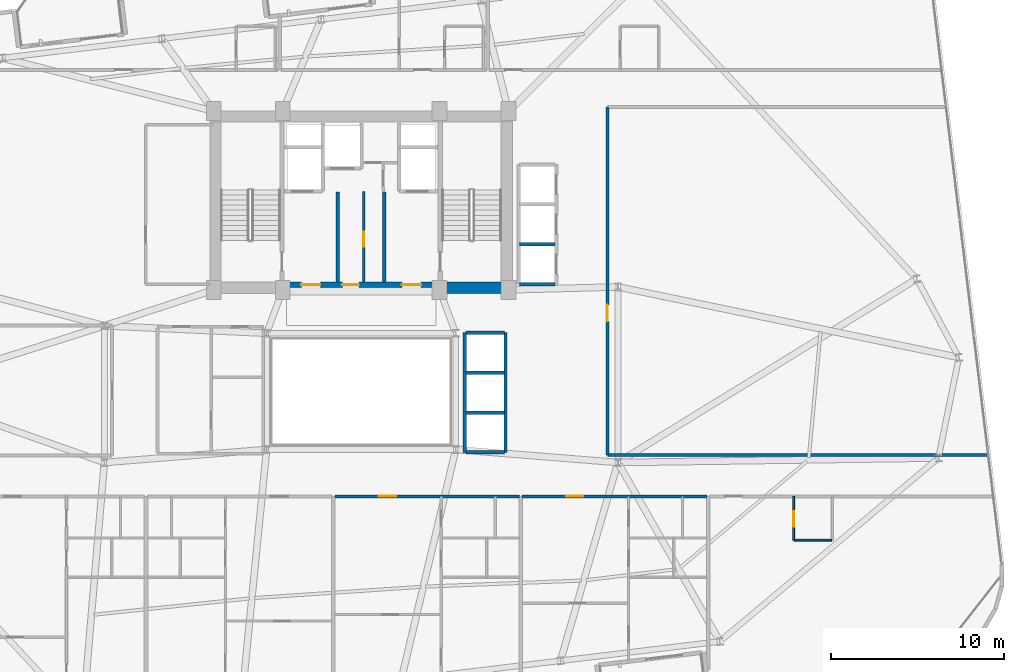
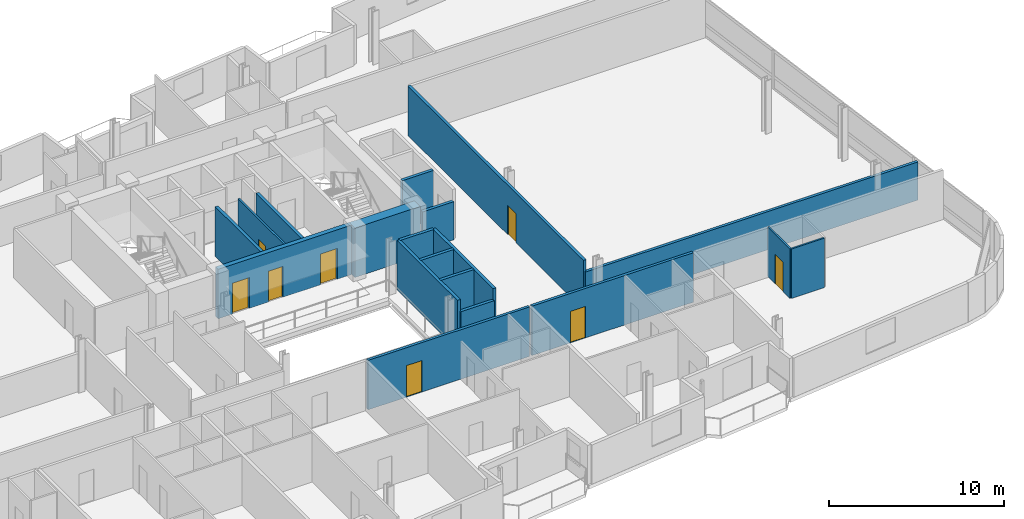
# One storey, part 17 of 24: 19 walls, 8 doors, 8 openings.
"""IFC4 building model written with IfcOpenShell, lengths in metres."""

from ifc_helpers import new_model, si_unit, direction, frame, frame_2d, origin, place, context, subcontext, project, spatial, rectangle, extrude, material, layer, layer_set, type_object, element, fill, save


model = new_model("IFC4")

# Units and contexts
model_context = context("Model", 3, precision=1e-05, world=origin(), true_north=direction((0.0, 1.0)))
body_context = subcontext(model_context, "Body", "Model", "MODEL_VIEW")
ifc_project = project(units=[si_unit("LENGTHUNIT", "METRE"), si_unit("AREAUNIT", "SQUARE_METRE"), si_unit("VOLUMEUNIT", "CUBIC_METRE"), si_unit("PLANEANGLEUNIT", "RADIAN"), si_unit("MASSUNIT", "GRAM", prefix="KILO")], contexts=[model_context])

# Site, building, storey
site_placement = place(None, origin())
site = spatial("IfcSite", under=ifc_project, at=site_placement, CompositionType="ELEMENT")
building_placement = place(site_placement, origin())
building = spatial("IfcBuilding", under=site, at=building_placement, Name="Varnelok Gate Tower", CompositionType="ELEMENT")
storey_placement = place(building_placement, frame((0.0, 0.0, 167.199951171875)))
storey = spatial("IfcBuildingStorey", under=building, at=storey_placement, Name="L42", CompositionType="ELEMENT", Elevation=167.199951171875)

# Wall, opening, door
ifc_material_1 = material(Name="Gypsum Plasterboard Acoustic Partition", Category="gypsum")
ifc_layer_1 = layer(ifc_material_1, 0.179931640625)
ifc_layer_set_1 = layer_set([ifc_layer_1], Name="Gypsum Plasterboard Acoustic Partition")
wall_type_1 = type_object("IfcWallType", Name="PW-CORR-180", PredefinedType="PARTITIONING", material=ifc_layer_set_1)
wall_1_placement = place(storey_placement, frame((37.679931640625, 16.85009765625, 0.0), z_axis=(0.0, 0.0, 1.0), x_axis=(1.0, 0.0, 0.0)))
wall_1 = element("IfcWall", 1, at=wall_1_placement, inside=storey, type_object=wall_type_1, Name="Interior Partition", PredefinedType="PARTITIONING", context=body_context, shape_type="SweptSolid", body=[
    extrude(rectangle(XDim=10.64013671875, YDim=0.179931640625, at=frame_2d((5.320068359375, 0.0))), origin(), (0.0, 0.0, 1.0), 3.449951171875),
])
opening_1_placement = place(wall_1_placement, frame((2.53466796875, 0.0, 0.0)))
opening_1 = element("IfcOpeningElement", 2, at=opening_1_placement, cuts=wall_1, Name="Opening D-AP", PredefinedType="OPENING", context=body_context, shape_type="SweptSolid", body=[
    extrude(rectangle(XDim=1.0, YDim=2.199951171875, at=frame_2d((0.5, 1.10009765625))), frame((0.0, 0.099853515625, 0.0), z_axis=(0.0, -1.0, 0.0), x_axis=(1.0, 0.0, 0.0)), (0.0, 0.0, 1.0), 0.199951171875),
])
ifc_material_2 = material(Name="Engineered Hardwood Timber", Category="wood")
door_type_1 = type_object("IfcDoorType", Name="DR-APT-1000", OperationType="NOTDEFINED", PredefinedType="DOOR", material=ifc_material_2)
door_1_placement = place(opening_1_placement, origin())
door_1 = element("IfcDoor", 3, at=door_1_placement, inside=storey, type_object=door_type_1, Name="L42 Apartment 4 Entrance Door", OperationType="SINGLE_SWING_LEFT", OverallHeight=2.199951171875, OverallWidth=1.0, PredefinedType="DOOR", context=body_context, shape_type="SweptSolid", body=[
    extrude(rectangle(XDim=1.0, YDim=2.199951171875, at=frame_2d((0.5, 1.10009765625))), frame((0.0, 0.02490234375, 0.0), z_axis=(0.0, -1.0, 0.0), x_axis=(1.0, 0.0, 0.0)), (0.0, 0.0, 1.0), 0.050048828125),
])
fill(opening_1, door_1)

wall_2_placement = place(storey_placement, frame((48.47998046875, 16.85009765625, 0.0), z_axis=(0.0, 0.0, 1.0), x_axis=(1.0, 0.0, 0.0)))
wall_2 = element("IfcWall", 4, at=wall_2_placement, inside=storey, type_object=wall_type_1, Name="Interior Partition", PredefinedType="PARTITIONING", context=body_context, shape_type="SweptSolid", body=[
    extrude(rectangle(XDim=10.64013671875, YDim=0.179931640625, at=frame_2d((5.320068359375, 0.0))), origin(), (0.0, 0.0, 1.0), 3.449951171875),
])
opening_2_placement = place(wall_2_placement, frame((2.53466796875, 0.0, 0.0)))
opening_2 = element("IfcOpeningElement", 5, at=opening_2_placement, cuts=wall_2, Name="Opening D-AP", PredefinedType="OPENING", context=body_context, shape_type="SweptSolid", body=[
    extrude(rectangle(XDim=1.0, YDim=2.199951171875, at=frame_2d((0.5, 1.10009765625))), frame((0.0, 0.099853515625, 0.0), z_axis=(0.0, -1.0, 0.0), x_axis=(1.0, 0.0, 0.0)), (0.0, 0.0, 1.0), 0.199951171875),
])
door_2_placement = place(opening_2_placement, origin())
door_2 = element("IfcDoor", 6, at=door_2_placement, inside=storey, type_object=door_type_1, Name="L42 Apartment 5 Entrance Door", OperationType="SINGLE_SWING_RIGHT", OverallHeight=2.199951171875, OverallWidth=1.0, PredefinedType="DOOR", context=body_context, shape_type="SweptSolid", body=[
    extrude(rectangle(XDim=1.0, YDim=2.199951171875, at=frame_2d((0.5, 1.10009765625))), frame((0.0, 0.02490234375, 0.0), z_axis=(0.0, -1.0, 0.0), x_axis=(1.0, 0.0, 0.0)), (0.0, 0.0, 1.0), 0.050048828125),
])
fill(opening_2, door_2)

wall_3_placement = place(storey_placement, frame((53.389892578125, 19.239990234375, 0.0), z_axis=(0.0, 0.0, 1.0), x_axis=(0.0, 1.0, 0.0)))
wall_3 = element("IfcWall", 7, at=wall_3_placement, inside=storey, type_object=wall_type_1, Name="Interior Partition", PredefinedType="PARTITIONING", context=body_context, shape_type="SweptSolid", body=[
    extrude(rectangle(XDim=20.06005859375, YDim=0.179931640625, at=frame_2d((10.030029296875, 0.0))), origin(), (0.0, 0.0, 1.0), 3.449951171875),
])
opening_3_placement = place(wall_3_placement, frame((7.699951171875, 0.0, 0.0)))
opening_3 = element("IfcOpeningElement", 8, at=opening_3_placement, cuts=wall_3, Name="Opening D-I2", PredefinedType="OPENING", context=body_context, shape_type="SweptSolid", body=[
    extrude(rectangle(XDim=0.949951171875, YDim=2.050048828125, at=frame_2d((0.47509765625, 1.02490234375))), frame((0.0, 0.099853515625, 0.0), z_axis=(0.0, -1.0, 0.0), x_axis=(1.0, 0.0, 0.0)), (0.0, 0.0, 1.0), 0.199951171875),
])
door_type_2 = type_object("IfcDoorType", Name="DR-INT-950", OperationType="NOTDEFINED", PredefinedType="DOOR", material=ifc_material_2)
door_3_placement = place(opening_3_placement, origin())
door_3 = element("IfcDoor", 9, at=door_3_placement, inside=storey, type_object=door_type_2, Name="L42 East Club Door", OperationType="SINGLE_SWING_RIGHT", OverallHeight=2.050048828125, OverallWidth=0.949951171875, PredefinedType="DOOR", context=body_context, shape_type="SweptSolid", body=[
    extrude(rectangle(XDim=0.949951171875, YDim=2.050048828125, at=frame_2d((0.47509765625, 1.02490234375))), frame((0.0, 0.02490234375, 0.0), z_axis=(0.0, -1.0, 0.0), x_axis=(1.0, 0.0, 0.0)), (0.0, 0.0, 1.0), 0.050048828125),
])
fill(opening_3, door_3)

# Walls
wall_4_placement = place(storey_placement, frame((53.389892578125, 19.239990234375, 0.0), z_axis=(0.0, 0.0, 1.0), x_axis=(1.0, 0.0, 0.0)))
element("IfcWall", 10, at=wall_4_placement, inside=storey, type_object=wall_type_1, Name="Interior Partition", PredefinedType="PARTITIONING", context=body_context, shape_type="SweptSolid", body=[
    extrude(rectangle(XDim=21.922119140625, YDim=0.179931640625, at=frame_2d((10.9609375, 0.0))), origin(), (0.0, 0.0, 1.0), 2.662109375),
])
ifc_layer_2 = layer(ifc_material_1, 0.114990234375)
ifc_layer_set_2 = layer_set([ifc_layer_2], Name="Gypsum Plasterboard Acoustic Partition")
wall_type_2 = type_object("IfcWallType", Name="PW-ENS-125", PredefinedType="PARTITIONING", material=ifc_layer_set_2)
wall_5_placement = place(storey_placement, frame((64.169921875, 14.330078125, 0.0), z_axis=(0.0, 0.0, 1.0), x_axis=(1.0, 0.0, 0.0)))
element("IfcWall", 11, at=wall_5_placement, inside=storey, type_object=wall_type_2, Name="Interior Partition", PredefinedType="PARTITIONING", context=body_context, shape_type="SweptSolid", body=[
    extrude(rectangle(XDim=2.150146484375, YDim=0.114990234375, at=frame_2d((1.0751953125, 0.0))), origin(), (0.0, 0.0, 1.0), 3.449951171875),
])

# Wall, opening, door
wall_6_placement = place(storey_placement, frame((64.1298828125, 14.330078125, 0.0), z_axis=(0.0, 0.0, 1.0), x_axis=(0.0, 1.0, 0.0)))
wall_6 = element("IfcWall", 12, at=wall_6_placement, inside=storey, type_object=wall_type_2, Name="Interior Partition", PredefinedType="PARTITIONING", context=body_context, shape_type="SweptSolid", body=[
    extrude(rectangle(XDim=2.52001953125, YDim=0.114990234375, at=frame_2d((1.260009765625, 0.0))), origin(), (0.0, 0.0, 1.0), 3.449951171875),
])
opening_4_placement = place(wall_6_placement, frame((0.760009765625, 0.0, 0.0)))
opening_4 = element("IfcOpeningElement", 13, at=opening_4_placement, cuts=wall_6, Name="Opening D-WC", PredefinedType="OPENING", context=body_context, shape_type="SweptSolid", body=[
    extrude(rectangle(XDim=0.89990234375, YDim=2.050048828125, at=frame_2d((0.449951171875, 1.02490234375))), frame((0.0, 0.0673828125, 0.0), z_axis=(0.0, -1.0, 0.0), x_axis=(1.0, 0.0, 0.0)), (0.0, 0.0, 1.0), 0.135009765625),
])
door_type_3 = type_object("IfcDoorType", Name="DR-BATH-900", OperationType="NOTDEFINED", PredefinedType="DOOR", material=ifc_material_2)
door_4_placement = place(opening_4_placement, origin())
door_4 = element("IfcDoor", 14, at=door_4_placement, inside=storey, type_object=door_type_3, Name="L42 Guest En-Suite 06 Door", OperationType="SINGLE_SWING_RIGHT", OverallHeight=2.050048828125, OverallWidth=0.89990234375, PredefinedType="DOOR", context=body_context, shape_type="SweptSolid", body=[
    extrude(rectangle(XDim=0.89990234375, YDim=2.050048828125, at=frame_2d((0.449951171875, 1.02490234375))), frame((0.0, 0.02490234375, 0.0), z_axis=(0.0, -1.0, 0.0), x_axis=(1.0, 0.0, 0.0)), (0.0, 0.0, 1.0), 0.050048828125),
])
fill(opening_4, door_4)

ifc_layer_3 = layer(ifc_material_1, 0.125)
ifc_layer_set_3 = layer_set([ifc_layer_3], Name="Gypsum Plasterboard Acoustic Partition")
wall_type_3 = type_object("IfcWallType", Name="PW-PART-125", PredefinedType="PARTITIONING", material=ifc_layer_set_3)
wall_7_placement = place(storey_placement, frame((39.35009765625, 29.199951171875, 0.0), z_axis=(0.0, 0.0, 1.0), x_axis=(0.0, 1.0, 0.0)))
wall_7 = element("IfcWall", 15, at=wall_7_placement, inside=storey, type_object=wall_type_3, Name="Interior Partition", PredefinedType="PARTITIONING", context=body_context, shape_type="SweptSolid", body=[
    extrude(rectangle(XDim=5.219970703125, YDim=0.125, at=frame_2d((2.60986328125, 0.0))), origin(), (0.0, 0.0, 1.0), 3.449951171875),
])
opening_5_placement = place(wall_7_placement, frame((2.050048828125, 0.0, 0.0)))
opening_5 = element("IfcOpeningElement", 16, at=opening_5_placement, cuts=wall_7, Name="Opening D-RS", PredefinedType="OPENING", context=body_context, shape_type="SweptSolid", body=[
    extrude(rectangle(XDim=0.85009765625, YDim=2.050048828125, at=frame_2d((0.425048828125, 1.02490234375))), frame((0.0, 0.072509765625, 0.0), z_axis=(0.0, -1.0, 0.0), x_axis=(1.0, 0.0, 0.0)), (0.0, 0.0, 1.0), 0.14501953125),
])
ifc_material_3 = material(Name="Galvanized Steel Grade S350GD", Category="steel")
door_type_4 = type_object("IfcDoorType", Name="DR-RISER-850", OperationType="NOTDEFINED", PredefinedType="DOOR", material=ifc_material_3)
door_5_placement = place(opening_5_placement, origin())
door_5 = element("IfcDoor", 17, at=door_5_placement, inside=storey, type_object=door_type_4, Name="L42 Housekeeping Linen Door", OperationType="SINGLE_SWING_RIGHT", OverallHeight=2.050048828125, OverallWidth=0.85009765625, PredefinedType="DOOR", context=body_context, shape_type="SweptSolid", body=[
    extrude(rectangle(XDim=0.85009765625, YDim=2.050048828125, at=frame_2d((0.425048828125, 1.02490234375))), frame((0.0, 0.02490234375, 0.0), z_axis=(0.0, -1.0, 0.0), x_axis=(1.0, 0.0, 0.0)), (0.0, 0.0, 1.0), 0.050048828125),
])
fill(opening_5, door_5)

# Walls
ifc_material_4 = material(Name="Concrete C35/45", Category="concrete")
ifc_layer_4 = layer(ifc_material_4, 0.199951171875)
ifc_layer_set_4 = layer_set([ifc_layer_4], Name="Concrete C35/45")
wall_type_4 = type_object("IfcWallType", Name="PW-SHAFT-200", PredefinedType="PARTITIONING", material=ifc_layer_set_4)
for number, where, z_axis, x_axis, name in (
    (18, (37.860107421875, 29.199951171875, 0.0), (0.0, 0.0, 1.0), (0.0, 1.0, 0.0), "L42 West FF Lobby Rated Wall"),
    (19, (40.5400390625, 29.199951171875, 0.0), (0.0, 0.0, 1.0), (0.0, 1.0, 0.0), "L42 East FF Lobby Rated Wall"),
):
    element("IfcWall", number, at=place(storey_placement, frame(where, z_axis=z_axis, x_axis=x_axis)), inside=storey, type_object=wall_type_4, Name=name, PredefinedType="PARTITIONING", context=body_context, shape_type="SweptSolid", body=[
        extrude(rectangle(XDim=5.179931640625, YDim=0.199951171875, at=frame_2d((2.58984375, 0.0))), origin(), (0.0, 0.0, 1.0), 3.449951171875),
    ])
wall_8_placement = place(storey_placement, frame((48.320068359375, 31.375, 0.0), z_axis=(0.0, 0.0, 1.0), x_axis=(1.0, 0.0, 0.0)))
element("IfcWall", 20, at=wall_8_placement, inside=storey, type_object=wall_type_4, Name="L42 PM1 Divider", PredefinedType="PARTITIONING", context=body_context, shape_type="SweptSolid", body=[
    extrude(rectangle(XDim=2.059814453125, YDim=0.199951171875, at=frame_2d((1.02978515625, 0.0))), origin(), (0.0, 0.0, 1.0), 3.449951171875),
])
wall_9_placement = place(storey_placement, frame((48.320068359375, 29.080078125, 0.0), z_axis=(0.0, 0.0, 1.0), x_axis=(1.0, 0.0, 0.0)))
element("IfcWall", 21, at=wall_9_placement, inside=storey, type_object=wall_type_4, Name="L42 PM Bank South Wall", PredefinedType="PARTITIONING", context=body_context, shape_type="SweptSolid", body=[
    extrude(rectangle(XDim=2.059814453125, YDim=0.199951171875, at=frame_2d((1.02978515625, 0.0))), origin(), (0.0, 0.0, 1.0), 2.662109375),
])
for number, where, z_axis, x_axis, name in (
    (22, (45.239990234375, 21.675048828125, 0.0), (0.0, 0.0, 1.0), (1.0, 0.0, 0.0), "L42 PH1 Divider"),
    (23, (45.239990234375, 23.97509765625, 0.0), (0.0, 0.0, 1.0), (1.0, 0.0, 0.0), "L42 PH2 Divider"),
):
    element("IfcWall", number, at=place(storey_placement, frame(where, z_axis=z_axis, x_axis=x_axis)), inside=storey, type_object=wall_type_4, Name=name, PredefinedType="PARTITIONING", context=body_context, shape_type="SweptSolid", body=[
        extrude(rectangle(XDim=2.219970703125, YDim=0.199951171875, at=frame_2d((1.10986328125, 0.0))), origin(), (0.0, 0.0, 1.0), 3.449951171875),
    ])
wall_10_placement = place(storey_placement, frame((45.239990234375, 19.3798828125, 0.0), z_axis=(0.0, 0.0, 1.0), x_axis=(1.0, 0.0, 0.0)))
element("IfcWall", 24, at=wall_10_placement, inside=storey, type_object=wall_type_4, Name="L42 PH Bank South Wall", PredefinedType="PARTITIONING", context=body_context, shape_type="SweptSolid", body=[
    extrude(rectangle(XDim=2.219970703125, YDim=0.199951171875, at=frame_2d((1.10986328125, 0.0))), origin(), (0.0, 0.0, 1.0), 2.662109375),
])
wall_11_placement = place(storey_placement, frame((45.239990234375, 26.280029296875, 0.0), z_axis=(0.0, 0.0, 1.0), x_axis=(1.0, 0.0, 0.0)))
element("IfcWall", 25, at=wall_11_placement, inside=storey, type_object=wall_type_4, Name="L42 PH Bank North Wall", PredefinedType="PARTITIONING", context=body_context, shape_type="SweptSolid", body=[
    extrude(rectangle(XDim=2.219970703125, YDim=0.199951171875, at=frame_2d((1.10986328125, 0.0))), origin(), (0.0, 0.0, 1.0), 3.449951171875),
])
for number, where, z_axis, x_axis, name in (
    (26, (45.179931640625, 19.3798828125, 0.0), (0.0, 0.0, 1.0), (0.0, 1.0, 0.0), "L42 PH Bank Atrium Wall"),
    (27, (47.52001953125, 19.3798828125, 0.0), (0.0, 0.0, 1.0), (0.0, 1.0, 0.0), "L42 PH Bank Front Wall"),
):
    element("IfcWall", number, at=place(storey_placement, frame(where, z_axis=z_axis, x_axis=x_axis)), inside=storey, type_object=wall_type_4, Name=name, PredefinedType="PARTITIONING", context=body_context, shape_type="SweptSolid", body=[
        extrude(rectangle(XDim=6.900146484375, YDim=0.199951171875, at=frame_2d((3.4501953125, 0.0))), origin(), (0.0, 0.0, 1.0), 3.449951171875),
    ])
ifc_material_5 = material(Name="Concrete C60/75", Category="concrete")
ifc_layer_5 = layer(ifc_material_5, 0.64990234375)
ifc_layer_set_5 = layer_set([ifc_layer_5], Name="Concrete C60/75")
wall_type_5 = type_object("IfcWallType", Name="SW-CORE-650", PredefinedType="SHEAR", material=ifc_layer_set_5)
wall_12_placement = place(storey_placement, frame((43.60009765625, 28.875, 0.0), z_axis=(0.0, 0.0, 1.0), x_axis=(1.0, 0.0, 0.0)))
element("IfcWall", 28, at=wall_12_placement, inside=storey, type_object=wall_type_5, Name="L42 Rear Core South-East Shear Wall", PredefinedType="SHEAR", context=body_context, shape_type="SweptSolid", body=[
    extrude(rectangle(XDim=4.31982421875, YDim=0.64990234375, at=frame_2d((2.159912109375, 0.0))), origin(), (0.0, 0.0, 1.0), 3.449951171875),
])

# Wall, openings, doors
ifc_layer_6 = layer(ifc_material_5, 0.300048828125)
ifc_layer_set_6 = layer_set([ifc_layer_6], Name="Concrete C60/75")
wall_type_6 = type_object("IfcWallType", Name="SW-SHAFT-300", PredefinedType="SHEAR", material=ifc_layer_set_6)
wall_13_placement = place(storey_placement, frame((34.800048828125, 29.050048828125, 0.0), z_axis=(0.0, 0.0, 1.0), x_axis=(1.0, 0.0, 0.0)))
wall_13 = element("IfcWall", 29, at=wall_13_placement, inside=storey, type_object=wall_type_6, Name="L42 Rear Core Central Lobby Shear Wall", PredefinedType="SHEAR", context=body_context, shape_type="SweptSolid", body=[
    extrude(rectangle(XDim=8.800048828125, YDim=0.300048828125, at=frame_2d((4.39990234375, 0.0))), origin(), (0.0, 0.0, 1.0), 3.449951171875),
])
opening_6_placement = place(wall_13_placement, frame((0.949951171875, 0.0, 0.0)))
opening_6 = element("IfcOpeningElement", 30, at=opening_6_placement, cuts=wall_13, Name="Opening D-FF", PredefinedType="OPENING", context=body_context, shape_type="SweptSolid", body=[
    extrude(rectangle(XDim=1.10009765625, YDim=2.14990234375, at=frame_2d((0.550048828125, 1.074951171875))), frame((0.0, 0.159912109375, 0.0), z_axis=(0.0, -1.0, 0.0), x_axis=(1.0, 0.0, 0.0)), (0.0, 0.0, 1.0), 0.320068359375),
])
opening_7_placement = place(wall_13_placement, frame((6.75, 0.0, 0.0)))
opening_7 = element("IfcOpeningElement", 31, at=opening_7_placement, cuts=wall_13, Name="Opening D-FF", PredefinedType="OPENING", context=body_context, shape_type="SweptSolid", body=[
    extrude(rectangle(XDim=1.10009765625, YDim=2.14990234375, at=frame_2d((0.550048828125, 1.074951171875))), frame((0.0, 0.159912109375, 0.0), z_axis=(0.0, -1.0, 0.0), x_axis=(1.0, 0.0, 0.0)), (0.0, 0.0, 1.0), 0.320068359375),
])
opening_8_placement = place(wall_13_placement, frame((3.320068359375, 0.0, 0.0)))
opening_8 = element("IfcOpeningElement", 32, at=opening_8_placement, cuts=wall_13, Name="Opening D-CR", PredefinedType="OPENING", context=body_context, shape_type="SweptSolid", body=[
    extrude(rectangle(XDim=0.949951171875, YDim=2.14990234375, at=frame_2d((0.47509765625, 1.074951171875))), frame((0.0, 0.159912109375, 0.0), z_axis=(0.0, -1.0, 0.0), x_axis=(1.0, 0.0, 0.0)), (0.0, 0.0, 1.0), 0.320068359375),
])
door_type_5 = type_object("IfcDoorType", Name="DR-CORR-950", OperationType="NOTDEFINED", PredefinedType="DOOR", material=ifc_material_3)
door_6_placement = place(opening_8_placement, origin())
door_6 = element("IfcDoor", 33, at=door_6_placement, inside=storey, type_object=door_type_5, Name="L42 Core Service Passage Door", OperationType="SINGLE_SWING_LEFT", OverallHeight=2.14990234375, OverallWidth=0.949951171875, PredefinedType="DOOR", context=body_context, shape_type="SweptSolid", body=[
    extrude(rectangle(XDim=0.949951171875, YDim=2.14990234375, at=frame_2d((0.47509765625, 1.074951171875))), frame((0.0, 0.02490234375, 0.0), z_axis=(0.0, -1.0, 0.0), x_axis=(1.0, 0.0, 0.0)), (0.0, 0.0, 1.0), 0.050048828125),
])
fill(opening_8, door_6)
door_type_6 = type_object("IfcDoorType", Name="DR-FFLOB-1100", OperationType="NOTDEFINED", PredefinedType="DOOR", material=ifc_material_3)
door_7_placement = place(opening_6_placement, origin())
door_7 = element("IfcDoor", 34, at=door_7_placement, inside=storey, type_object=door_type_6, Name="L42 West Firefighting Lobby Fire Door", OperationType="SINGLE_SWING_RIGHT", OverallHeight=2.14990234375, OverallWidth=1.10009765625, PredefinedType="DOOR", context=body_context, shape_type="SweptSolid", body=[
    extrude(rectangle(XDim=1.10009765625, YDim=2.14990234375, at=frame_2d((0.550048828125, 1.074951171875))), frame((0.0, 0.02490234375, 0.0), z_axis=(0.0, -1.0, 0.0), x_axis=(1.0, 0.0, 0.0)), (0.0, 0.0, 1.0), 0.050048828125),
])
fill(opening_6, door_7)
door_8_placement = place(opening_7_placement, origin())
door_8 = element("IfcDoor", 35, at=door_8_placement, inside=storey, type_object=door_type_6, Name="L42 East Firefighting Lobby Fire Door", OperationType="SINGLE_SWING_LEFT", OverallHeight=2.14990234375, OverallWidth=1.10009765625, PredefinedType="DOOR", context=body_context, shape_type="SweptSolid", body=[
    extrude(rectangle(XDim=1.10009765625, YDim=2.14990234375, at=frame_2d((0.550048828125, 1.074951171875))), frame((0.0, 0.02490234375, 0.0), z_axis=(0.0, -1.0, 0.0), x_axis=(1.0, 0.0, 0.0)), (0.0, 0.0, 1.0), 0.050048828125),
])
fill(opening_7, door_8)

save(model, "model.ifc")
